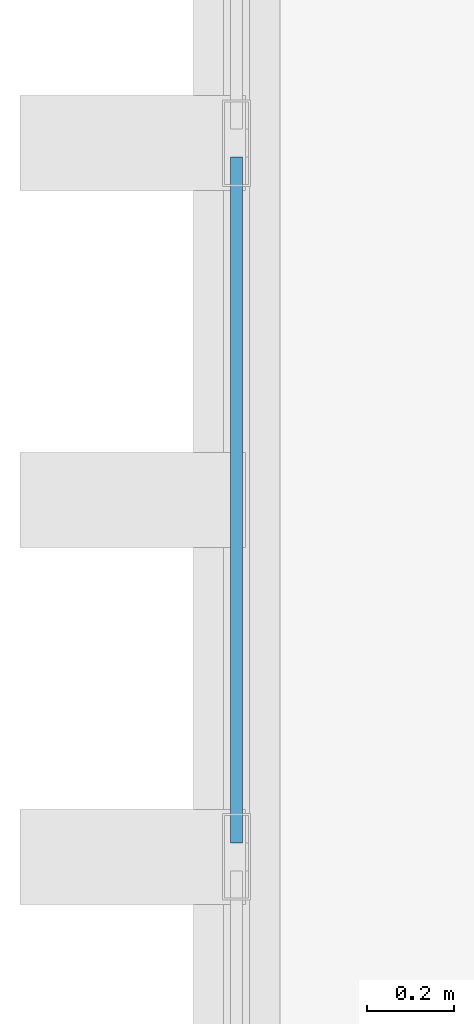
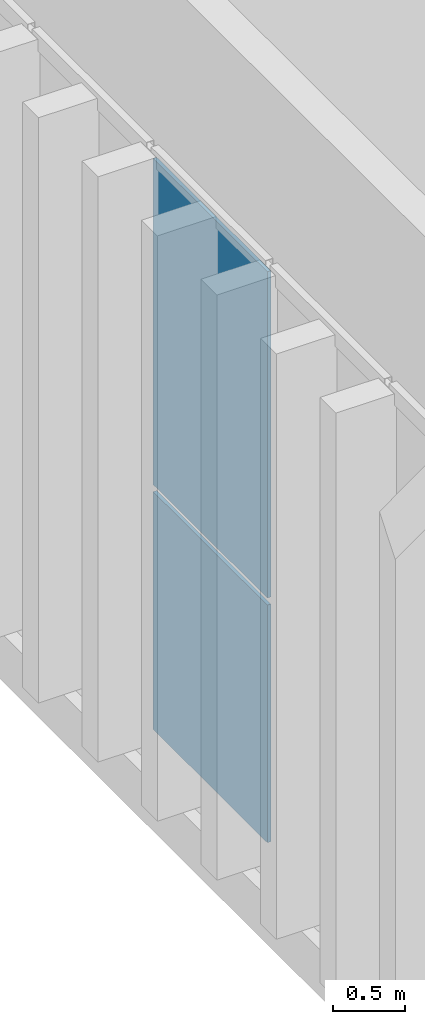
# One storey, part 157 of 211: 2 plates, 1 element without a shape of its own.
"""IFC4 building model written with IfcOpenShell, lengths in metres."""

import ifcopenshell
import ifcopenshell.guid

model = None  # the IFC model being written
_history = None  # IfcOwnerHistory: only IFC2X3 demands one
_inside = {}  # id of a spatial element -> (the spatial element, [elements in it])
_under = {}  # id of a project, library or spatial element -> (it, [spatial elements below it])
_declared = {}  # id of a project -> (the project, [libraries it declares])
_typed = {}  # id of a type object -> (the type object, [elements of that type])
_made_of = {}  # id of a material, layer set ... -> (it, [elements and type objects made of it])


def new_model(schema):
    """Start an empty IFC model of exactly this schema.

    Asked for "IFC4X3", IfcOpenShell would pick the latest addendum, in which some entities
    have other attributes; the version numbers below select the first issue.
    IFC2X3 requires an IfcOwnerHistory on every rooted entity: one is made here for all.
    """
    global model, _history
    if schema == "IFC4X3":
        model = ifcopenshell.file(schema_version=(4, 3, 0, 0))
    else:
        model = ifcopenshell.file(schema=schema)
    _inside.clear()
    _under.clear()
    _declared.clear()
    _typed.clear()
    _made_of.clear()
    _history = None
    if model.schema == "IFC2X3":
        org = make("IfcOrganization", Name="unknown")
        user = make(
            "IfcPersonAndOrganization",
            ThePerson=make("IfcPerson", FamilyName="unknown"),
            TheOrganization=org,
        )
        app = make(
            "IfcApplication",
            ApplicationDeveloper=org,
            Version="unknown",
            ApplicationFullName="unknown",
            ApplicationIdentifier="unknown",
        )
        _history = make(
            "IfcOwnerHistory",
            OwningUser=user,
            OwningApplication=app,
            ChangeAction="ADDED",
            CreationDate=0,
        )
    return model


def make(cls, **values):
    """One entity of the class cls with the attributes given. An attribute that is None is left unset."""
    return model.create_entity(
        cls, **{name: value for name, value in values.items() if value is not None}
    )


def rooted(cls, **values):
    """An entity with a GlobalId (a new one), such as an element, a storey or a relation."""
    return make(cls, GlobalId=ifcopenshell.guid.new(), OwnerHistory=_history, **values)


def si_unit(unit_type, name, prefix=None):
    """IfcSIUnit, for example si_unit("LENGTHUNIT", "METRE", prefix="MILLI")."""
    return make("IfcSIUnit", UnitType=unit_type, Prefix=prefix, Name=name)


def assignment(units):
    """IfcUnitAssignment: the units of a project."""
    return None if units is None else make("IfcUnitAssignment", Units=units)


def point(xyz):
    """IfcCartesianPoint."""
    return None if xyz is None else make("IfcCartesianPoint", Coordinates=xyz)


def direction(xyz):
    """IfcDirection."""
    return None if xyz is None else make("IfcDirection", DirectionRatios=xyz)


def frame(location, z_axis=None, x_axis=None):
    """IfcAxis2Placement3D, a coordinate frame: its origin and axes. An axis left out is left unset."""
    return make(
        "IfcAxis2Placement3D",
        Location=point(location),
        Axis=direction(z_axis),
        RefDirection=direction(x_axis),
    )


def frame_2d(location, x_axis=None):
    """IfcAxis2Placement2D, a coordinate frame in the plane: its origin and x axis."""
    return make(
        "IfcAxis2Placement2D", Location=point(location), RefDirection=direction(x_axis)
    )


def origin():
    """The frame at (0, 0, 0) with its axes left unset."""
    return frame((0.0, 0.0, 0.0))


def origin_2d():
    """The frame at (0, 0) in the plane with its x axis left unset."""
    return frame_2d((0.0, 0.0))


def place(relative_to, where):
    """IfcLocalPlacement: puts the frame where relative to a parent placement (None: the world)."""
    return make(
        "IfcLocalPlacement", PlacementRelTo=relative_to, RelativePlacement=where
    )


def context(
    kind, dimensions, precision=None, world=None, true_north=None, identifier=None
):
    """IfcGeometricRepresentationContext, for example the 3D "Model" context."""
    return make(
        "IfcGeometricRepresentationContext",
        ContextIdentifier=identifier,
        ContextType=kind,
        CoordinateSpaceDimension=dimensions,
        Precision=precision,
        WorldCoordinateSystem=world,
        TrueNorth=true_north,
    )


def subcontext(parent, identifier, kind, view, scale=None):
    """IfcGeometricRepresentationSubContext, for example "Body" below "Model"."""
    return make(
        "IfcGeometricRepresentationSubContext",
        ContextIdentifier=identifier,
        ContextType=kind,
        ParentContext=parent,
        TargetScale=scale,
        TargetView=view,
    )


def project(units=None, contexts=None):
    """IfcProject with its units and contexts."""
    return rooted(
        "IfcProject",
        Name="project",
        RepresentationContexts=contexts,
        UnitsInContext=assignment(units),
    )


def spatial(cls, under=None, at=None, **own):
    """A site, building, storey or space (cls), placed at a placement, below another one or the project."""
    s = rooted(cls, ObjectPlacement=at, **own)
    if under is not None:
        _under.setdefault(under.id(), (under, []))[1].append(s)
    return s


def profile(cls, at=None, kind="AREA", **sizes):
    """A parametric profile (cls). Its sizes go by their IFC names, for example OverallWidth=200.0."""
    return make(cls, ProfileType=kind, Position=at, **sizes)


def rectangle(**sizes):
    """IfcRectangleProfileDef."""
    return profile("IfcRectangleProfileDef", **sizes)


def extrude(swept, where, along, depth):
    """IfcExtrudedAreaSolid: the profile swept, set in the frame where, extruded along a direction by depth."""
    return make(
        "IfcExtrudedAreaSolid",
        SweptArea=swept,
        Position=where,
        ExtrudedDirection=direction(along),
        Depth=depth,
    )


def shape(context_of_items, identifier, shape_type, items):
    """IfcShapeRepresentation: the items that make up one representation, for example the "Body"."""
    return make(
        "IfcShapeRepresentation",
        ContextOfItems=context_of_items,
        RepresentationIdentifier=identifier,
        RepresentationType=shape_type,
        Items=items,
    )


def material(Name=None, Category=None):
    """IfcMaterial."""
    return make("IfcMaterial", Name=Name, Category=Category)


def layer(
    of_material, thickness, ventilated=None, Name=None, Category=None, Priority=None
):
    """IfcMaterialLayer: one layer of a wall or slab, of a material (None: an air gap)."""
    return make(
        "IfcMaterialLayer",
        Material=of_material,
        LayerThickness=thickness,
        IsVentilated=ventilated,
        Name=Name,
        Category=Category,
        Priority=Priority,
    )


def layer_set(layers, Name=None):
    """IfcMaterialLayerSet."""
    return make("IfcMaterialLayerSet", MaterialLayers=layers, LayerSetName=Name)


def made_of(thing, what):
    """Note that an element or type object is made of a material, layer set ...; save() writes the relation."""
    if what is not None:
        _made_of.setdefault(what.id(), (what, []))[1].append(thing)
    return thing


def type_object(cls, material=None, **own):
    """A type object (cls), such as IfcWallType, which elements share."""
    return made_of(rooted(cls, **own), material)


def element(
    cls,
    number,
    at=None,
    inside=None,
    cuts=None,
    type_object=None,
    material=None,
    context=None,
    identifier="Body",
    shape_type=None,
    held_by="IfcProductDefinitionShape",
    body=None,
    shapes=None,
    **own,
):
    """One element of the class cls, such as IfcWall. Its Tag is "e" and its number.

    at: its placement. inside: the storey or other place that contains it. cuts: it is an
    opening in that element (IfcRelVoidsElement). A single representation is given by context,
    identifier, shape_type and body (its items); several are given by shapes. held_by: the class
    of the entity that holds the representations. save() writes the other relations.
    """
    e = rooted(cls, Tag="e%d" % number, ObjectPlacement=at, **own)
    if body is not None:
        shapes = [shape(context, identifier, shape_type, body)]
    if shapes is not None:
        e.Representation = make(held_by, Representations=shapes)
    if inside is not None:
        _inside.setdefault(inside.id(), (inside, []))[1].append(e)
    if cuts is not None:
        rooted(
            "IfcRelVoidsElement", RelatingBuildingElement=cuts, RelatedOpeningElement=e
        )
    if type_object is not None:
        _typed.setdefault(type_object.id(), (type_object, []))[1].append(e)
    return made_of(e, material)


def aggregate(whole, parts):
    """IfcRelAggregates: a whole, such as a stair, and the parts it consists of."""
    return rooted("IfcRelAggregates", RelatingObject=whole, RelatedObjects=parts)


def save(model, path):
    """Write the relations noted so far, then the file.

    IfcRelAggregates (storeys below a building ...), IfcRelContainedInSpatialStructure (elements
    in a storey), IfcRelDefinesByType, IfcRelAssociatesMaterial and IfcRelDeclares: one each for
    every whole, place, type object, material and project.
    """
    for whole, parts in _under.values():
        aggregate(whole, parts)
    for where, things in _inside.values():
        rooted(
            "IfcRelContainedInSpatialStructure",
            RelatedElements=things,
            RelatingStructure=where,
        )
    for kind, things in _typed.values():
        rooted("IfcRelDefinesByType", RelatedObjects=things, RelatingType=kind)
    for what, things in _made_of.values():
        rooted("IfcRelAssociatesMaterial", RelatedObjects=things, RelatingMaterial=what)
    for by, libraries in _declared.values():
        rooted("IfcRelDeclares", RelatingContext=by, RelatedDefinitions=libraries)
    model.write(path)


model = new_model("IFC4")

# Units and contexts
model_context = context("Model", 3, precision=1e-05, world=origin(), true_north=direction((0.0, 1.0)))
body_context = subcontext(model_context, "Body", "Model", "MODEL_VIEW")
ifc_project = project(units=[si_unit("LENGTHUNIT", "METRE"), si_unit("AREAUNIT", "SQUARE_METRE"), si_unit("VOLUMEUNIT", "CUBIC_METRE"), si_unit("PLANEANGLEUNIT", "RADIAN"), si_unit("MASSUNIT", "GRAM", prefix="KILO")], contexts=[model_context])

# Site, building, storey
site_placement = place(None, origin())
site = spatial("IfcSite", under=ifc_project, at=site_placement, CompositionType="ELEMENT")
building_placement = place(site_placement, origin())
building = spatial("IfcBuilding", under=site, at=building_placement, Name="Barlavento Convention Centre", CompositionType="ELEMENT")
storey_placement = place(building_placement, frame((0.0, 0.0, 6.0)))
storey = spatial("IfcBuildingStorey", under=building, at=storey_placement, Name="L01", CompositionType="ELEMENT", Elevation=6.0)

# Curtain wall, plates
ifc_material_1 = material(Name="Powder-coated aluminium and Low-E glass", Category="aluminium")
ifc_layer_1 = layer(ifc_material_1, 0.179931640625)
ifc_layer_set_1 = layer_set([ifc_layer_1], Name="ARC-CW-EXH-L01")
curtain_wall_type = type_object("IfcCurtainWallType", Name="ARC-CW-EXH-L01", PredefinedType="NOTDEFINED", material=ifc_layer_set_1)
curtain_wall_placement = place(storey_placement, origin())
curtain_wall = element("IfcCurtainWall", 1, at=curtain_wall_placement, inside=storey, type_object=curtain_wall_type, Name="L01 unitised curtain wall CW04", PredefinedType="NOTDEFINED")
ifc_material_2 = material(Name="Double-silver Low-E insulated glass", Category="glass")
ifc_layer_2 = layer(ifc_material_2, 0.028076171875)
ifc_layer_set_2 = layer_set([ifc_layer_2], Name="ARC-CWP-GLZ28")
plate_type = type_object("IfcPlateType", Name="ARC-CWP-GLZ28", PredefinedType="CURTAIN_PANEL", material=ifc_layer_set_2)
plate_1_placement = place(storey_placement, frame((0.0, 94.5, 0.06005859375), z_axis=(0.0, 0.0, 1.0), x_axis=(0.0, 1.0, 0.0)))
plate_1 = element("IfcPlate", 2, at=plate_1_placement, type_object=plate_type, Name="CW04 panel 3.1", PredefinedType="CURTAIN_PANEL", context=body_context, shape_type="SweptSolid", body=[
    extrude(rectangle(XDim=1.5830078125, YDim=0.028076171875, at=origin_2d()), origin(), (0.0, 0.0, 1.0), 2.010009765625),
])
plate_2_placement = place(storey_placement, frame((0.0, 94.5, 2.1298828125), z_axis=(0.0, 0.0, 1.0), x_axis=(0.0, 1.0, 0.0)))
plate_2 = element("IfcPlate", 3, at=plate_2_placement, type_object=plate_type, Name="CW04 panel 3.2", PredefinedType="CURTAIN_PANEL", context=body_context, shape_type="SweptSolid", body=[
    extrude(rectangle(XDim=1.5830078125, YDim=0.028076171875, at=origin_2d()), origin(), (0.0, 0.0, 1.0), 2.760009765625),
])
aggregate(curtain_wall, [plate_1, plate_2])

save(model, "model.ifc")
